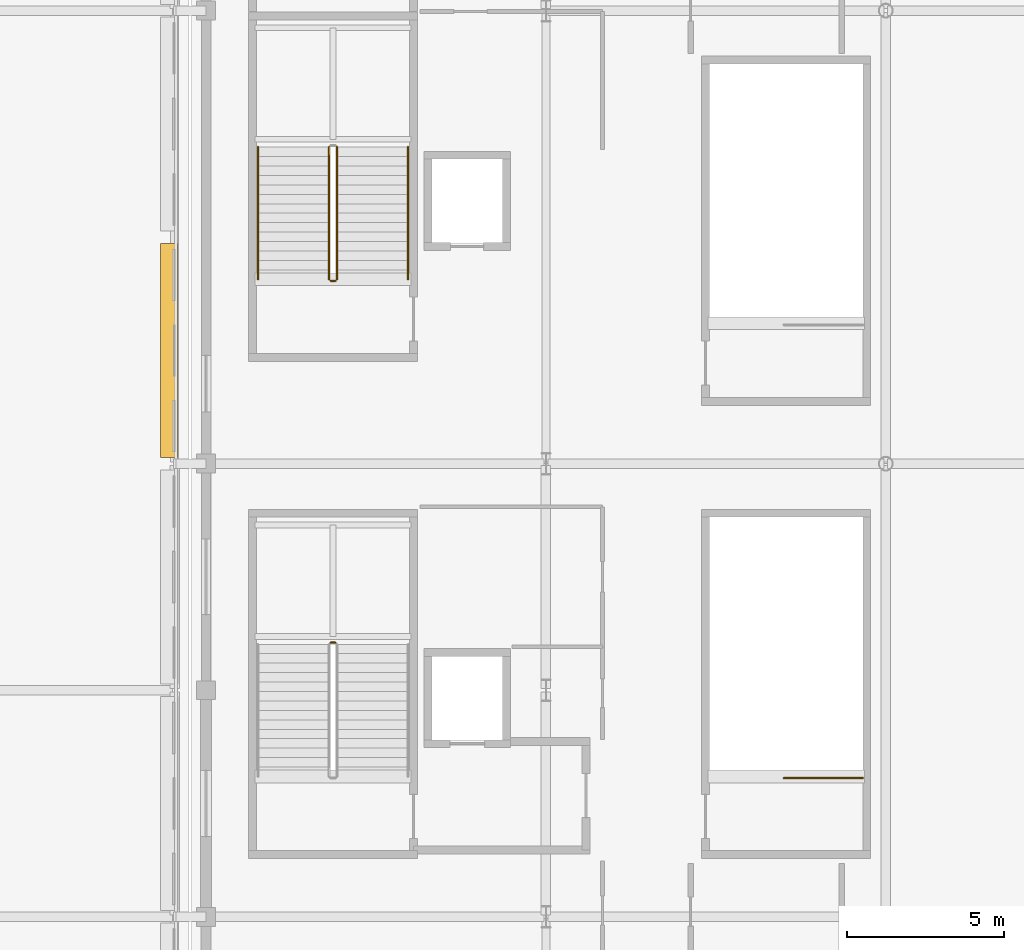
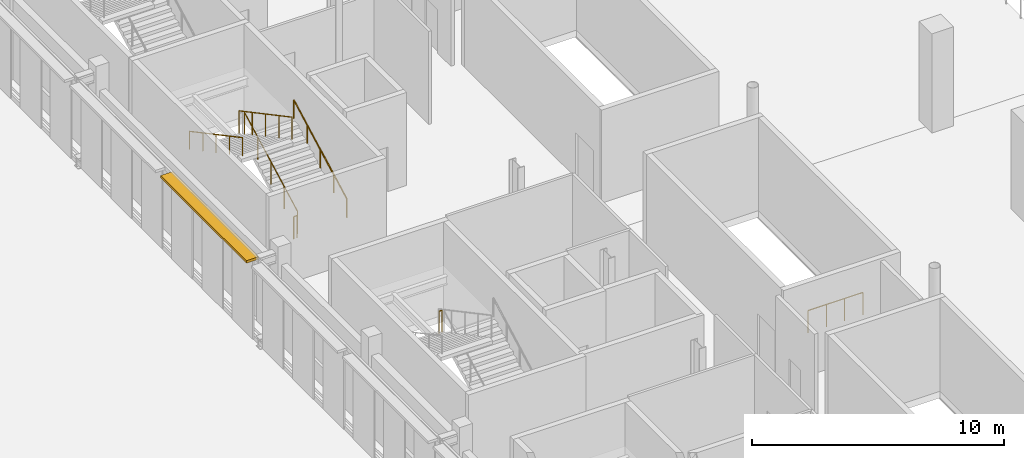
# One storey, part 54 of 74: 7 railings, 1 shading device.
"""IFC4 building model written with IfcOpenShell, lengths in metres."""

from ifc_helpers import new_model, si_unit, direction, frame, origin, origin_2d, place, context, subcontext, project, spatial, rectangle, circle, extrude, material, type_object, element, save


model = new_model("IFC4")

# Units and contexts
model_context = context("Model", 3, precision=1e-05, world=origin(), true_north=direction((0.0, 1.0)))
body_context = subcontext(model_context, "Body", "Model", "MODEL_VIEW")
ifc_project = project(units=[si_unit("LENGTHUNIT", "METRE"), si_unit("AREAUNIT", "SQUARE_METRE"), si_unit("VOLUMEUNIT", "CUBIC_METRE"), si_unit("PLANEANGLEUNIT", "RADIAN"), si_unit("MASSUNIT", "GRAM", prefix="KILO")], contexts=[model_context])

# Site, building, storey
site_placement = place(None, origin())
site = spatial("IfcSite", under=ifc_project, at=site_placement, CompositionType="ELEMENT")
building_placement = place(site_placement, origin())
building = spatial("IfcBuilding", under=site, at=building_placement, Name="Koshinbarg Plaza Stadium", CompositionType="ELEMENT")
storey_placement = place(building_placement, frame((0.0, 0.0, 15.0)))
storey = spatial("IfcBuildingStorey", under=building, at=storey_placement, Name="L03", CompositionType="ELEMENT", Elevation=15.0)

# Railings
ifc_material_1 = material(Name="Galvanized painted steel guardrail", Category="steel")
railing_type_1 = type_object("IfcRailingType", Name="RL-GUARD-1100", PredefinedType="GUARDRAIL", material=ifc_material_1)
railing_1_placement = place(storey_placement, frame((28.7099609375, 48.610107421875, 2.39990234375)))
element("IfcRailing", 1, at=railing_1_placement, inside=storey, type_object=railing_type_1, Name="L03 C02 stair guard 2", PredefinedType="GUARDRAIL", context=body_context, shape_type="SweptSolid", body=[
    extrude(circle(Radius=0.02392578125, at=origin_2d()), frame((0.0, 0.0, 1.076171875), z_axis=(-1.0, 0.0, 0.0), x_axis=(0.0, -1.0, 0.0)), (0.0, 0.0, 1.0), 0.14990234375),
    extrude(circle(Radius=0.02099609375, at=origin_2d()), origin(), (0.0, 0.0, 1.0), 1.052001953125),
    extrude(circle(Radius=0.02099609375, at=origin_2d()), frame((-0.14990234375, 0.0, 0.0)), (0.0, 0.0, 1.0), 1.052001953125),
])
railing_2_placement = place(storey_placement, frame((28.760009765625, 60.159912109375, 0.159912109375)))
element("IfcRailing", 2, at=railing_2_placement, inside=storey, type_object=railing_type_1, Name="L03 C03 stair guard 1", PredefinedType="GUARDRAIL", context=body_context, shape_type="SweptSolid", body=[
    extrude(circle(Radius=0.02392578125, at=origin_2d()), frame((0.0, 0.0, 1.076171875), z_axis=(0.0, 0.882362879185, 0.470569601054), x_axis=(-1.0, 0.0, 0.0)), (0.0, 0.0, 1.0), 4.76025390625),
    extrude(circle(Radius=0.02099609375, at=origin_2d()), origin(), (0.0, 0.0, 1.0), 1.052001953125),
    extrude(circle(Radius=0.02099609375, at=origin_2d()), frame((0.0, 1.050048828125, 0.56005859375)), (0.0, 0.0, 1.0), 1.052001953125),
    extrude(circle(Radius=0.02099609375, at=origin_2d()), frame((0.0, 2.10009765625, 1.1201171875)), (0.0, 0.0, 1.0), 1.052001953125),
    extrude(circle(Radius=0.02099609375, at=origin_2d()), frame((0.0, 3.150146484375, 1.679931640625)), (0.0, 0.0, 1.0), 1.052001953125),
    extrude(circle(Radius=0.02099609375, at=origin_2d()), frame((0.0, 4.2001953125, 2.239990234375)), (0.0, 0.0, 1.0), 1.052001953125),
])
railing_3_placement = place(storey_placement, frame((28.510009765625, 64.360107421875, 2.56005859375)))
element("IfcRailing", 3, at=railing_3_placement, inside=storey, type_object=railing_type_1, Name="L03 C03 stair guard 3", PredefinedType="GUARDRAIL", context=body_context, shape_type="SweptSolid", body=[
    extrude(circle(Radius=0.02392578125, at=origin_2d()), frame((0.0, 0.0, 1.076171875), z_axis=(0.0, -0.882362879185, 0.470569601054), x_axis=(1.0, 0.0, 0.0)), (0.0, 0.0, 1.0), 4.76025390625),
    extrude(circle(Radius=0.02099609375, at=origin_2d()), origin(), (0.0, 0.0, 1.0), 1.052001953125),
    extrude(circle(Radius=0.02099609375, at=origin_2d()), frame((0.0, -1.050048828125, 0.56005859375)), (0.0, 0.0, 1.0), 1.052001953125),
    extrude(circle(Radius=0.02099609375, at=origin_2d()), frame((0.0, -2.10009765625, 1.1201171875)), (0.0, 0.0, 1.0), 1.052001953125),
    extrude(circle(Radius=0.02099609375, at=origin_2d()), frame((0.0, -3.150146484375, 1.679931640625)), (0.0, 0.0, 1.0), 1.052001953125),
    extrude(circle(Radius=0.02099609375, at=origin_2d()), frame((0.0, -4.2001953125, 2.239990234375)), (0.0, 0.0, 1.0), 1.052001953125),
])
railing_4_placement = place(storey_placement, frame((28.7099609375, 60.110107421875, 0.0)))
element("IfcRailing", 4, at=railing_4_placement, inside=storey, type_object=railing_type_1, Name="L03 C03 stair guard 4", PredefinedType="GUARDRAIL", context=body_context, shape_type="SweptSolid", body=[
    extrude(circle(Radius=0.02392578125, at=origin_2d()), frame((0.0, 0.0, 1.076171875), z_axis=(-1.0, 0.0, 0.0), x_axis=(0.0, -1.0, 0.0)), (0.0, 0.0, 1.0), 0.14990234375),
    extrude(circle(Radius=0.02099609375, at=origin_2d()), origin(), (0.0, 0.0, 1.0), 1.052001953125),
    extrude(circle(Radius=0.02099609375, at=origin_2d()), frame((-0.14990234375, 0.0, 0.0)), (0.0, 0.0, 1.0), 1.052001953125),
])
railing_5_placement = place(storey_placement, frame((45.469970703125, 44.31005859375, 0.0)))
element("IfcRailing", 5, at=railing_5_placement, inside=storey, type_object=railing_type_1, Name="L03 VX02 top stairwell guard 1", PredefinedType="GUARDRAIL", context=body_context, shape_type="SweptSolid", body=[
    extrude(circle(Radius=0.02392578125, at=origin_2d()), frame((0.0, 0.0, 1.076171875), z_axis=(-1.0, 0.0, 0.0), x_axis=(0.0, -1.0, 0.0)), (0.0, 0.0, 1.0), 2.510009765625),
    extrude(circle(Radius=0.02099609375, at=origin_2d()), origin(), (0.0, 0.0, 1.0), 1.052001953125),
    extrude(circle(Radius=0.02099609375, at=origin_2d()), frame((-0.836669921875, 0.0, 0.0)), (0.0, 0.0, 1.0), 1.052001953125),
    extrude(circle(Radius=0.02099609375, at=origin_2d()), frame((-1.67333984375, 0.0, 0.0)), (0.0, 0.0, 1.0), 1.052001953125),
    extrude(circle(Radius=0.02099609375, at=origin_2d()), frame((-2.510009765625, 0.0, 0.0)), (0.0, 0.0, 1.0), 1.052001953125),
])
ifc_material_2 = material(Name="Brushed stainless steel handrail", Category="steel")
railing_type_2 = type_object("IfcRailingType", Name="RL-HAND-900", PredefinedType="HANDRAIL", material=ifc_material_2)
railing_6_placement = place(storey_placement, frame((31.02001953125, 60.159912109375, 0.159912109375)))
element("IfcRailing", 6, at=railing_6_placement, inside=storey, type_object=railing_type_2, Name="L03 C03 stair handrail 1", PredefinedType="HANDRAIL", context=body_context, shape_type="SweptSolid", body=[
    extrude(circle(Radius=0.02392578125, at=origin_2d()), frame((0.0, 0.0, 0.8759765625), z_axis=(0.0, 0.882362879185, 0.470569601054), x_axis=(-1.0, 0.0, 0.0)), (0.0, 0.0, 1.0), 4.76025390625),
    extrude(circle(Radius=0.02099609375, at=origin_2d()), origin(), (0.0, 0.0, 1.0), 0.851806640625),
    extrude(circle(Radius=0.02099609375, at=origin_2d()), frame((0.0, 1.050048828125, 0.56005859375)), (0.0, 0.0, 1.0), 0.851806640625),
    extrude(circle(Radius=0.02099609375, at=origin_2d()), frame((0.0, 2.10009765625, 1.1201171875)), (0.0, 0.0, 1.0), 0.851806640625),
    extrude(circle(Radius=0.02099609375, at=origin_2d()), frame((0.0, 3.150146484375, 1.679931640625)), (0.0, 0.0, 1.0), 0.851806640625),
    extrude(circle(Radius=0.02099609375, at=origin_2d()), frame((0.0, 4.2001953125, 2.239990234375)), (0.0, 0.0, 1.0), 0.851806640625),
])
railing_7_placement = place(storey_placement, frame((26.25, 64.360107421875, 2.56005859375)))
element("IfcRailing", 7, at=railing_7_placement, inside=storey, type_object=railing_type_2, Name="L03 C03 stair handrail 2", PredefinedType="HANDRAIL", context=body_context, shape_type="SweptSolid", body=[
    extrude(circle(Radius=0.02392578125, at=origin_2d()), frame((0.0, 0.0, 0.8759765625), z_axis=(0.0, -0.882362879185, 0.470569601054), x_axis=(1.0, 0.0, 0.0)), (0.0, 0.0, 1.0), 4.76025390625),
    extrude(circle(Radius=0.02099609375, at=origin_2d()), origin(), (0.0, 0.0, 1.0), 0.851806640625),
    extrude(circle(Radius=0.02099609375, at=origin_2d()), frame((0.0, -1.050048828125, 0.56005859375)), (0.0, 0.0, 1.0), 0.851806640625),
    extrude(circle(Radius=0.02099609375, at=origin_2d()), frame((0.0, -2.10009765625, 1.1201171875)), (0.0, 0.0, 1.0), 0.851806640625),
    extrude(circle(Radius=0.02099609375, at=origin_2d()), frame((0.0, -3.150146484375, 1.679931640625)), (0.0, 0.0, 1.0), 0.851806640625),
    extrude(circle(Radius=0.02099609375, at=origin_2d()), frame((0.0, -4.2001953125, 2.239990234375)), (0.0, 0.0, 1.0), 0.851806640625),
])

# Shading device
ifc_material_3 = material(Name="Off-white powder-coated aluminium sun-baffle louvre", Category="aluminium")
shading_device_type = type_object("IfcShadingDeviceType", Name="SHD-LOUVRE-01", PredefinedType="USERDEFINED", material=ifc_material_3)
shading_device_placement = place(storey_placement, frame((23.429931640625, 57.89990234375, 4.119873046875), z_axis=(0.0, 0.0, 1.0), x_axis=(1.0, 0.0, 0.0)))
element("IfcShadingDevice", 8, at=shading_device_placement, inside=storey, type_object=shading_device_type, Name="L03 solar brise-soleil louvre 05", ObjectType="LOUVRE", PredefinedType="USERDEFINED", context=body_context, shape_type="SweptSolid", body=[
    extrude(rectangle(XDim=0.550048828125, YDim=6.800048828125, at=origin_2d()), origin(), (0.0, 0.0, 1.0), 0.1201171875),
])

save(model, "model.ifc")
